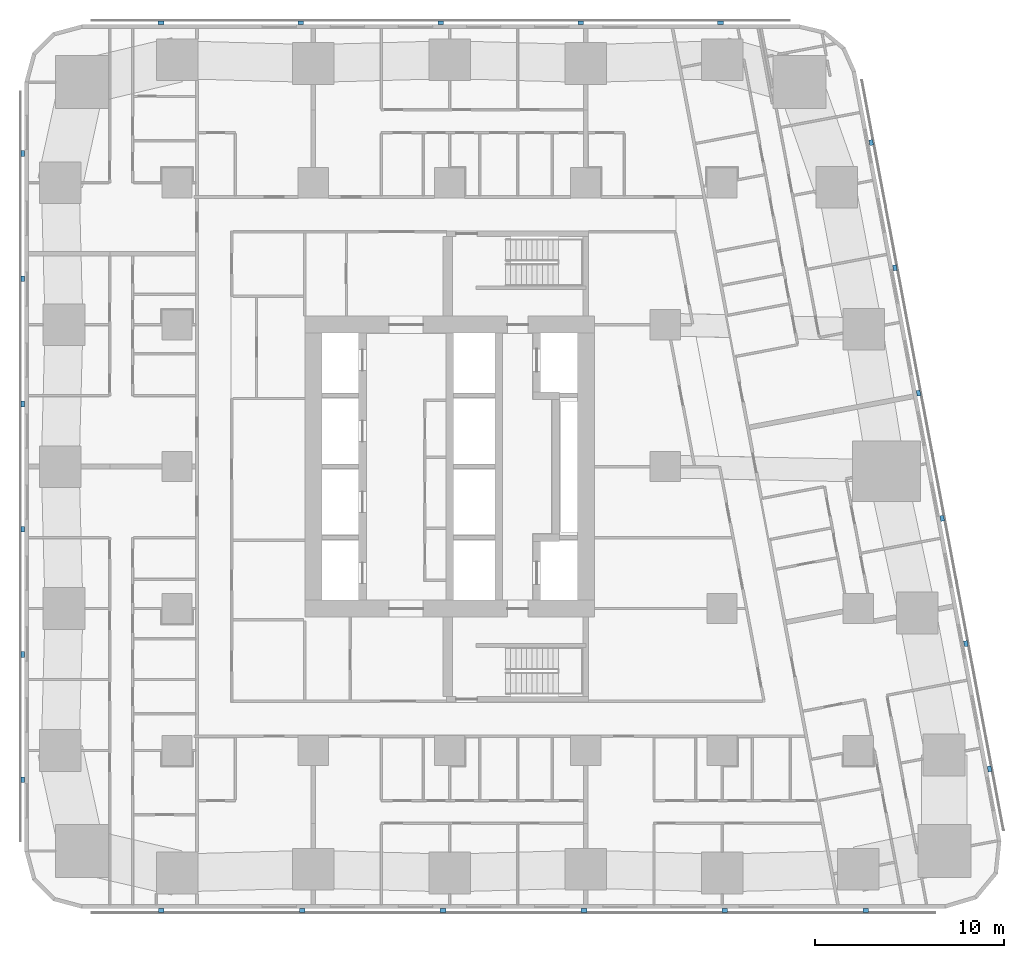
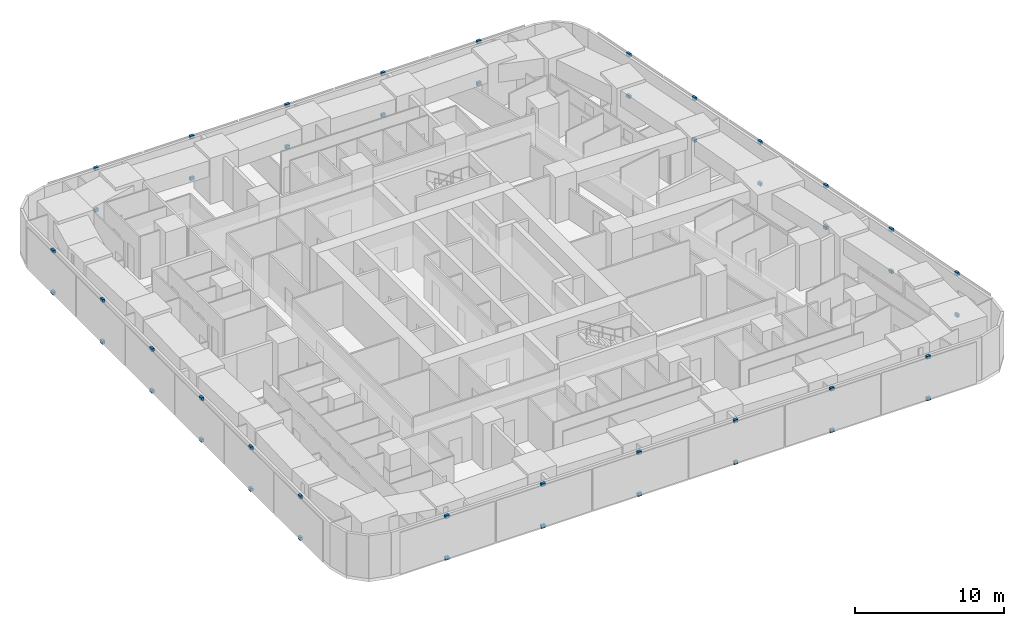
# One storey, part 11 of 15: 46 discrete accessories.
"""IFC4 building model written with IfcOpenShell, lengths in metres."""

import ifcopenshell
import ifcopenshell.guid

model = None  # the IFC model being written
_history = None  # IfcOwnerHistory: only IFC2X3 demands one
_inside = {}  # id of a spatial element -> (the spatial element, [elements in it])
_under = {}  # id of a project, library or spatial element -> (it, [spatial elements below it])
_declared = {}  # id of a project -> (the project, [libraries it declares])
_typed = {}  # id of a type object -> (the type object, [elements of that type])
_made_of = {}  # id of a material, layer set ... -> (it, [elements and type objects made of it])


def new_model(schema):
    """Start an empty IFC model of exactly this schema.

    Asked for "IFC4X3", IfcOpenShell would pick the latest addendum, in which some entities
    have other attributes; the version numbers below select the first issue.
    IFC2X3 requires an IfcOwnerHistory on every rooted entity: one is made here for all.
    """
    global model, _history
    if schema == "IFC4X3":
        model = ifcopenshell.file(schema_version=(4, 3, 0, 0))
    else:
        model = ifcopenshell.file(schema=schema)
    _inside.clear()
    _under.clear()
    _declared.clear()
    _typed.clear()
    _made_of.clear()
    _history = None
    if model.schema == "IFC2X3":
        org = make("IfcOrganization", Name="unknown")
        user = make(
            "IfcPersonAndOrganization",
            ThePerson=make("IfcPerson", FamilyName="unknown"),
            TheOrganization=org,
        )
        app = make(
            "IfcApplication",
            ApplicationDeveloper=org,
            Version="unknown",
            ApplicationFullName="unknown",
            ApplicationIdentifier="unknown",
        )
        _history = make(
            "IfcOwnerHistory",
            OwningUser=user,
            OwningApplication=app,
            ChangeAction="ADDED",
            CreationDate=0,
        )
    return model


def make(cls, **values):
    """One entity of the class cls with the attributes given. An attribute that is None is left unset."""
    return model.create_entity(
        cls, **{name: value for name, value in values.items() if value is not None}
    )


def rooted(cls, **values):
    """An entity with a GlobalId (a new one), such as an element, a storey or a relation."""
    return make(cls, GlobalId=ifcopenshell.guid.new(), OwnerHistory=_history, **values)


def si_unit(unit_type, name, prefix=None):
    """IfcSIUnit, for example si_unit("LENGTHUNIT", "METRE", prefix="MILLI")."""
    return make("IfcSIUnit", UnitType=unit_type, Prefix=prefix, Name=name)


def assignment(units):
    """IfcUnitAssignment: the units of a project."""
    return None if units is None else make("IfcUnitAssignment", Units=units)


def point(xyz):
    """IfcCartesianPoint."""
    return None if xyz is None else make("IfcCartesianPoint", Coordinates=xyz)


def direction(xyz):
    """IfcDirection."""
    return None if xyz is None else make("IfcDirection", DirectionRatios=xyz)


def frame(location, z_axis=None, x_axis=None):
    """IfcAxis2Placement3D, a coordinate frame: its origin and axes. An axis left out is left unset."""
    return make(
        "IfcAxis2Placement3D",
        Location=point(location),
        Axis=direction(z_axis),
        RefDirection=direction(x_axis),
    )


def frame_2d(location, x_axis=None):
    """IfcAxis2Placement2D, a coordinate frame in the plane: its origin and x axis."""
    return make(
        "IfcAxis2Placement2D", Location=point(location), RefDirection=direction(x_axis)
    )


def origin():
    """The frame at (0, 0, 0) with its axes left unset."""
    return frame((0.0, 0.0, 0.0))


def origin_2d():
    """The frame at (0, 0) in the plane with its x axis left unset."""
    return frame_2d((0.0, 0.0))


def place(relative_to, where):
    """IfcLocalPlacement: puts the frame where relative to a parent placement (None: the world)."""
    return make(
        "IfcLocalPlacement", PlacementRelTo=relative_to, RelativePlacement=where
    )


def context(
    kind, dimensions, precision=None, world=None, true_north=None, identifier=None
):
    """IfcGeometricRepresentationContext, for example the 3D "Model" context."""
    return make(
        "IfcGeometricRepresentationContext",
        ContextIdentifier=identifier,
        ContextType=kind,
        CoordinateSpaceDimension=dimensions,
        Precision=precision,
        WorldCoordinateSystem=world,
        TrueNorth=true_north,
    )


def subcontext(parent, identifier, kind, view, scale=None):
    """IfcGeometricRepresentationSubContext, for example "Body" below "Model"."""
    return make(
        "IfcGeometricRepresentationSubContext",
        ContextIdentifier=identifier,
        ContextType=kind,
        ParentContext=parent,
        TargetScale=scale,
        TargetView=view,
    )


def project(units=None, contexts=None):
    """IfcProject with its units and contexts."""
    return rooted(
        "IfcProject",
        Name="project",
        RepresentationContexts=contexts,
        UnitsInContext=assignment(units),
    )


def spatial(cls, under=None, at=None, **own):
    """A site, building, storey or space (cls), placed at a placement, below another one or the project."""
    s = rooted(cls, ObjectPlacement=at, **own)
    if under is not None:
        _under.setdefault(under.id(), (under, []))[1].append(s)
    return s


def profile(cls, at=None, kind="AREA", **sizes):
    """A parametric profile (cls). Its sizes go by their IFC names, for example OverallWidth=200.0."""
    return make(cls, ProfileType=kind, Position=at, **sizes)


def rectangle(**sizes):
    """IfcRectangleProfileDef."""
    return profile("IfcRectangleProfileDef", **sizes)


def extrude(swept, where, along, depth):
    """IfcExtrudedAreaSolid: the profile swept, set in the frame where, extruded along a direction by depth."""
    return make(
        "IfcExtrudedAreaSolid",
        SweptArea=swept,
        Position=where,
        ExtrudedDirection=direction(along),
        Depth=depth,
    )


def shape(context_of_items, identifier, shape_type, items):
    """IfcShapeRepresentation: the items that make up one representation, for example the "Body"."""
    return make(
        "IfcShapeRepresentation",
        ContextOfItems=context_of_items,
        RepresentationIdentifier=identifier,
        RepresentationType=shape_type,
        Items=items,
    )


def material(Name=None, Category=None):
    """IfcMaterial."""
    return make("IfcMaterial", Name=Name, Category=Category)


def made_of(thing, what):
    """Note that an element or type object is made of a material, layer set ...; save() writes the relation."""
    if what is not None:
        _made_of.setdefault(what.id(), (what, []))[1].append(thing)
    return thing


def type_object(cls, material=None, **own):
    """A type object (cls), such as IfcWallType, which elements share."""
    return made_of(rooted(cls, **own), material)


def element(
    cls,
    number,
    at=None,
    inside=None,
    cuts=None,
    type_object=None,
    material=None,
    context=None,
    identifier="Body",
    shape_type=None,
    held_by="IfcProductDefinitionShape",
    body=None,
    shapes=None,
    **own,
):
    """One element of the class cls, such as IfcWall. Its Tag is "e" and its number.

    at: its placement. inside: the storey or other place that contains it. cuts: it is an
    opening in that element (IfcRelVoidsElement). A single representation is given by context,
    identifier, shape_type and body (its items); several are given by shapes. held_by: the class
    of the entity that holds the representations. save() writes the other relations.
    """
    e = rooted(cls, Tag="e%d" % number, ObjectPlacement=at, **own)
    if body is not None:
        shapes = [shape(context, identifier, shape_type, body)]
    if shapes is not None:
        e.Representation = make(held_by, Representations=shapes)
    if inside is not None:
        _inside.setdefault(inside.id(), (inside, []))[1].append(e)
    if cuts is not None:
        rooted(
            "IfcRelVoidsElement", RelatingBuildingElement=cuts, RelatedOpeningElement=e
        )
    if type_object is not None:
        _typed.setdefault(type_object.id(), (type_object, []))[1].append(e)
    return made_of(e, material)


def aggregate(whole, parts):
    """IfcRelAggregates: a whole, such as a stair, and the parts it consists of."""
    return rooted("IfcRelAggregates", RelatingObject=whole, RelatedObjects=parts)


def save(model, path):
    """Write the relations noted so far, then the file.

    IfcRelAggregates (storeys below a building ...), IfcRelContainedInSpatialStructure (elements
    in a storey), IfcRelDefinesByType, IfcRelAssociatesMaterial and IfcRelDeclares: one each for
    every whole, place, type object, material and project.
    """
    for whole, parts in _under.values():
        aggregate(whole, parts)
    for where, things in _inside.values():
        rooted(
            "IfcRelContainedInSpatialStructure",
            RelatedElements=things,
            RelatingStructure=where,
        )
    for kind, things in _typed.values():
        rooted("IfcRelDefinesByType", RelatedObjects=things, RelatingType=kind)
    for what, things in _made_of.values():
        rooted("IfcRelAssociatesMaterial", RelatedObjects=things, RelatingMaterial=what)
    for by, libraries in _declared.values():
        rooted("IfcRelDeclares", RelatingContext=by, RelatedDefinitions=libraries)
    model.write(path)


model = new_model("IFC4")

# Units and contexts
model_context = context("Model", 3, precision=1e-05, world=origin(), true_north=direction((0.0, 1.0)))
body_context = subcontext(model_context, "Body", "Model", "MODEL_VIEW")
ifc_project = project(units=[si_unit("LENGTHUNIT", "METRE"), si_unit("AREAUNIT", "SQUARE_METRE"), si_unit("VOLUMEUNIT", "CUBIC_METRE"), si_unit("PLANEANGLEUNIT", "RADIAN"), si_unit("MASSUNIT", "GRAM", prefix="KILO")], contexts=[model_context])

# Site, building, storey
site_placement = place(None, origin())
site = spatial("IfcSite", under=ifc_project, at=site_placement, CompositionType="ELEMENT")
building_placement = place(site_placement, origin())
building = spatial("IfcBuilding", under=site, at=building_placement, Name="Sheger Commons Tower", CompositionType="ELEMENT")
storey_placement = place(building_placement, frame((0.0, 0.0, 85.39990234375)))
storey = spatial("IfcBuildingStorey", under=building, at=storey_placement, Name="L21", CompositionType="ELEMENT", Elevation=85.39990234375)

# Discrete accessories
ifc_material = material(Name="Black painted steel bracket", Category="steel")
discrete_accessory_type = type_object("IfcDiscreteAccessoryType", Name="SCREEN BRACKET 300x200x250", PredefinedType="BRACKET", material=ifc_material)
for number, where, z_axis, x_axis, name in (
    (1, (6.37109375, -0.949951171875, -0.099853515625), (0.0, 0.0, 1.0), (1.0, 0.0, 0.0), "Solar screen foot bracket"),
    (2, (6.37109375, -0.949951171875, 3.300048828125), (0.0, 0.0, 1.0), (1.0, 0.0, 0.0), "Solar screen head bracket"),
    (3, (13.81396484375, -0.949951171875, -0.099853515625), (0.0, 0.0, 1.0), (1.0, 0.0, 0.0), "Solar screen foot bracket"),
    (4, (13.81396484375, -0.949951171875, 3.300048828125), (0.0, 0.0, 1.0), (1.0, 0.0, 0.0), "Solar screen head bracket"),
    (5, (21.257080078125, -0.949951171875, -0.099853515625), (0.0, 0.0, 1.0), (1.0, 0.0, 0.0), "Solar screen foot bracket"),
    (6, (21.257080078125, -0.949951171875, 3.300048828125), (0.0, 0.0, 1.0), (1.0, 0.0, 0.0), "Solar screen head bracket"),
    (7, (28.698974609375, -0.949951171875, -0.099853515625), (0.0, 0.0, 1.0), (1.0, 0.0, 0.0), "Solar screen foot bracket"),
    (8, (28.698974609375, -0.949951171875, 3.300048828125), (0.0, 0.0, 1.0), (1.0, 0.0, 0.0), "Solar screen head bracket"),
    (9, (36.14208984375, -0.949951171875, -0.099853515625), (0.0, 0.0, 1.0), (1.0, 0.0, 0.0), "Solar screen foot bracket"),
    (10, (36.14208984375, -0.949951171875, 3.300048828125), (0.0, 0.0, 1.0), (1.0, 0.0, 0.0), "Solar screen head bracket"),
    (11, (43.5849609375, -0.949951171875, -0.099853515625), (0.0, 0.0, 1.0), (1.0, 0.0, 0.0), "Solar screen foot bracket"),
    (12, (43.5849609375, -0.949951171875, 3.300048828125), (0.0, 0.0, 1.0), (1.0, 0.0, 0.0), "Solar screen head bracket"),
    (13, (50.134033203125, 6.527099609375, -0.099853515625), (0.0, 0.0, 1.0), (-0.185615165645, 0.982622516678, 0.0), "Solar screen foot bracket"),
    (14, (50.134033203125, 6.527099609375, 3.300048828125), (0.0, 0.0, 1.0), (-0.185615165645, 0.982622516678, 0.0), "Solar screen head bracket"),
    (15, (48.884033203125, 13.14599609375, -0.099853515625), (0.0, 0.0, 1.0), (-0.185615165645, 0.982622516678, 0.0), "Solar screen foot bracket"),
    (16, (48.884033203125, 13.14599609375, 3.300048828125), (0.0, 0.0, 1.0), (-0.185615165645, 0.982622516678, 0.0), "Solar screen head bracket"),
    (17, (47.633056640625, 19.76611328125, -0.099853515625), (0.0, 0.0, 1.0), (-0.185615165645, 0.982622516678, 0.0), "Solar screen foot bracket"),
    (18, (47.633056640625, 19.76611328125, 3.300048828125), (0.0, 0.0, 1.0), (-0.185615165645, 0.982622516678, 0.0), "Solar screen head bracket"),
    (19, (46.383056640625, 26.385009765625, -0.099853515625), (0.0, 0.0, 1.0), (-0.185615165645, 0.982622516678, 0.0), "Solar screen foot bracket"),
    (20, (46.383056640625, 26.385009765625, 3.300048828125), (0.0, 0.0, 1.0), (-0.185615165645, 0.982622516678, 0.0), "Solar screen head bracket"),
    (21, (45.133056640625, 33.0048828125, -0.099853515625), (0.0, 0.0, 1.0), (-0.185615165645, 0.982622516678, 0.0), "Solar screen foot bracket"),
    (22, (45.133056640625, 33.0048828125, 3.300048828125), (0.0, 0.0, 1.0), (-0.185615165645, 0.982622516678, 0.0), "Solar screen head bracket"),
    (23, (43.882080078125, 39.6240234375, -0.099853515625), (0.0, 0.0, 1.0), (-0.185615165645, 0.982622516678, 0.0), "Solar screen foot bracket"),
    (24, (43.882080078125, 39.6240234375, 3.300048828125), (0.0, 0.0, 1.0), (-0.185615165645, 0.982622516678, 0.0), "Solar screen head bracket"),
    (25, (35.9208984375, 45.949951171875, -0.099853515625), (0.0, 0.0, 1.0), (-1.0, 0.0, 0.0), "Solar screen foot bracket"),
    (26, (35.9208984375, 45.949951171875, 3.300048828125), (0.0, 0.0, 1.0), (-1.0, 0.0, 0.0), "Solar screen head bracket"),
    (27, (28.528076171875, 45.949951171875, -0.099853515625), (0.0, 0.0, 1.0), (-1.0, 0.0, 0.0), "Solar screen foot bracket"),
    (28, (28.528076171875, 45.949951171875, 3.300048828125), (0.0, 0.0, 1.0), (-1.0, 0.0, 0.0), "Solar screen head bracket"),
    (29, (21.134033203125, 45.949951171875, -0.099853515625), (0.0, 0.0, 1.0), (-1.0, 0.0, 0.0), "Solar screen foot bracket"),
    (30, (21.134033203125, 45.949951171875, 3.300048828125), (0.0, 0.0, 1.0), (-1.0, 0.0, 0.0), "Solar screen head bracket"),
    (31, (13.739990234375, 45.949951171875, -0.099853515625), (0.0, 0.0, 1.0), (-1.0, 0.0, 0.0), "Solar screen foot bracket"),
    (32, (13.739990234375, 45.949951171875, 3.300048828125), (0.0, 0.0, 1.0), (-1.0, 0.0, 0.0), "Solar screen head bracket"),
    (33, (6.346923828125, 45.949951171875, -0.099853515625), (0.0, 0.0, 1.0), (-1.0, 0.0, 0.0), "Solar screen foot bracket"),
    (34, (6.346923828125, 45.949951171875, 3.300048828125), (0.0, 0.0, 1.0), (-1.0, 0.0, 0.0), "Solar screen head bracket"),
    (35, (-0.949951171875, 39.0419921875, -0.099853515625), (0.0, 0.0, 1.0), (0.0, -1.0, 0.0), "Solar screen foot bracket"),
    (36, (-0.949951171875, 39.0419921875, 3.300048828125), (0.0, 0.0, 1.0), (0.0, -1.0, 0.0), "Solar screen head bracket"),
    (37, (-0.949951171875, 32.425048828125, -0.099853515625), (0.0, 0.0, 1.0), (0.0, -1.0, 0.0), "Solar screen foot bracket"),
    (38, (-0.949951171875, 32.425048828125, 3.300048828125), (0.0, 0.0, 1.0), (0.0, -1.0, 0.0), "Solar screen head bracket"),
    (39, (-0.949951171875, 25.80810546875, -0.099853515625), (0.0, 0.0, 1.0), (0.0, -1.0, 0.0), "Solar screen foot bracket"),
    (40, (-0.949951171875, 25.80810546875, 3.300048828125), (0.0, 0.0, 1.0), (0.0, -1.0, 0.0), "Solar screen head bracket"),
    (41, (-0.949951171875, 19.19189453125, -0.099853515625), (0.0, 0.0, 1.0), (0.0, -1.0, 0.0), "Solar screen foot bracket"),
    (42, (-0.949951171875, 19.19189453125, 3.300048828125), (0.0, 0.0, 1.0), (0.0, -1.0, 0.0), "Solar screen head bracket"),
    (43, (-0.949951171875, 12.574951171875, -0.099853515625), (0.0, 0.0, 1.0), (0.0, -1.0, 0.0), "Solar screen foot bracket"),
    (44, (-0.949951171875, 12.574951171875, 3.300048828125), (0.0, 0.0, 1.0), (0.0, -1.0, 0.0), "Solar screen head bracket"),
    (45, (-0.949951171875, 5.9580078125, -0.099853515625), (0.0, 0.0, 1.0), (0.0, -1.0, 0.0), "Solar screen foot bracket"),
    (46, (-0.949951171875, 5.9580078125, 3.300048828125), (0.0, 0.0, 1.0), (0.0, -1.0, 0.0), "Solar screen head bracket"),
):
    element("IfcDiscreteAccessory", number, at=place(storey_placement, frame(where, z_axis=z_axis, x_axis=x_axis)), inside=storey, type_object=discrete_accessory_type, Name=name, PredefinedType="BRACKET", context=body_context, shape_type="SweptSolid", body=[
        extrude(rectangle(XDim=0.300048828125, YDim=0.199951171875, at=origin_2d()), origin(), (0.0, 0.0, 1.0), 0.25),
    ])

save(model, "model.ifc")
